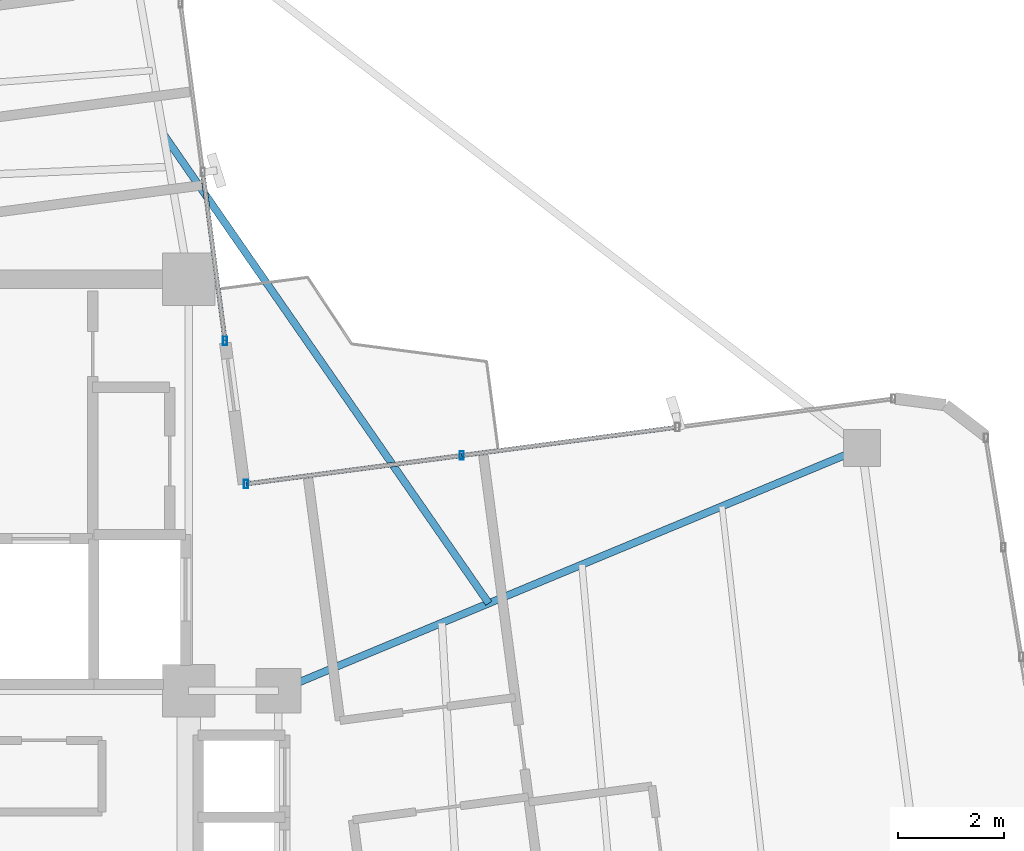
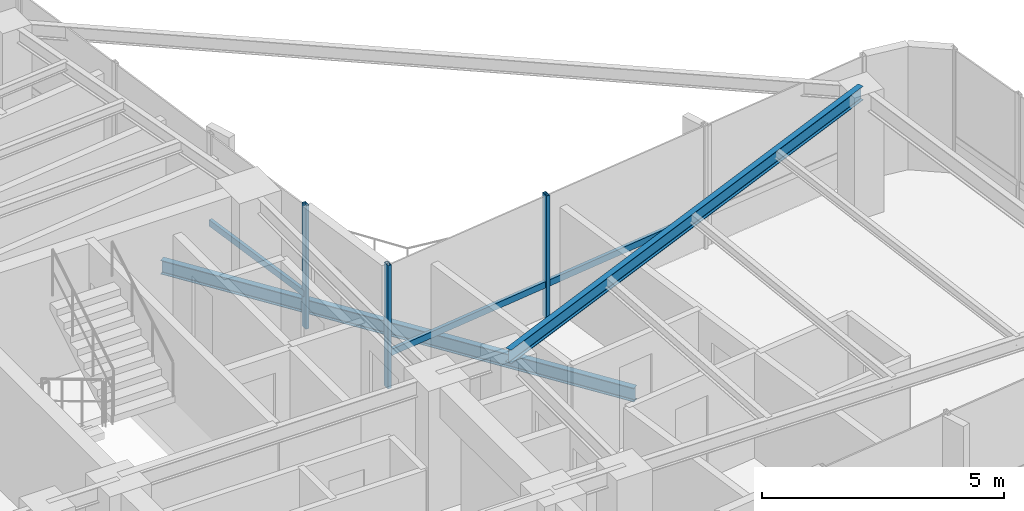
# One storey, part 11 of 22: 6 members, 2 beams, 2 elements without a shape of their own.
"""IFC4 building model written with IfcOpenShell, lengths in metres."""

from ifc_helpers import new_model, si_unit, direction, frame, origin, origin_2d, place, context, subcontext, project, spatial, hollow_rectangle, i_section, extrude, source, transform, mapped, material, material_profile, profile_set, type_object, element, aggregate, save


model = new_model("IFC4")

# Units and contexts
model_context = context("Model", 3, precision=1e-05, world=origin(), true_north=direction((0.0, 1.0)))
body_context = subcontext(model_context, "Body", "Model", "MODEL_VIEW")
ifc_project = project(units=[si_unit("LENGTHUNIT", "METRE"), si_unit("AREAUNIT", "SQUARE_METRE"), si_unit("VOLUMEUNIT", "CUBIC_METRE"), si_unit("PLANEANGLEUNIT", "RADIAN"), si_unit("MASSUNIT", "GRAM", prefix="KILO")], contexts=[model_context])

# Site, building, storey
site_placement = place(None, origin())
site = spatial("IfcSite", under=ifc_project, at=site_placement, CompositionType="ELEMENT")
building_placement = place(site_placement, origin())
building = spatial("IfcBuilding", under=site, at=building_placement, Name="Sahyath Konkavel Grand Hotel", CompositionType="ELEMENT")
storey_placement = place(building_placement, frame((0.0, 0.0, 234.449951171875)))
storey = spatial("IfcBuildingStorey", under=building, at=storey_placement, Name="L65", CompositionType="ELEMENT", Elevation=234.449951171875)

# Beam
ifc_material_1 = material(Name="Steel E350", Category="steel")
ifc_material_profile_1 = material_profile(ifc_material_1, i_section(OverallWidth=0.139892578125, OverallDepth=0.35009765625, WebThickness=0.008056640625, FlangeThickness=0.01416015625, FilletRadius=0.013916015625, at=origin_2d()), Name="ISMB 350")
ifc_profile_set_1 = profile_set([ifc_material_profile_1], Name="Steel E350")
beam_type_1 = type_object("IfcBeamType", Name="BM-ISMB350", PredefinedType="BEAM", material=ifc_profile_set_1)
shared_shape_1 = source(origin(), body_context, "Body", "SweptSolid", [
    extrude(i_section(OverallWidth=0.139892578125, OverallDepth=0.35009765625, WebThickness=0.008056640625, FlangeThickness=0.01416015625, FilletRadius=0.013916015625, at=origin_2d()), origin(), (0.0, 0.0, 1.0), 11.9794921875),
])
beam_1_placement = place(storey_placement, frame((5.5, 2.39990234375, 2.93505859375), z_axis=(0.923316118913, 0.384040811054, 0.0), x_axis=(-0.384040811054, 0.923316118913, 0.0)))
element("IfcBeam", 1, at=beam_1_placement, inside=storey, type_object=beam_type_1, Name="L65 Cruciform Radial Girder EB", PredefinedType="BEAM", context=body_context, shape_type="MappedRepresentation", body=[
    mapped(shared_shape_1, transform((0.0, 0.0, 0.0), scale=1.0)),
])

# Curtain wall, members
ifc_material_2 = material(Name="Anodised Bronze Aluminium & Low-E Glazing", Category="aluminium")
curtain_wall_type = type_object("IfcCurtainWallType", Name="CW-ZONE4", PredefinedType="NOTDEFINED", material=ifc_material_2)
curtain_wall_1_placement = place(storey_placement, origin())
curtain_wall_1 = element("IfcCurtainWall", 2, at=curtain_wall_1_placement, inside=storey, type_object=curtain_wall_type, Name="L65 Unitised Curtain Wall F7", PredefinedType="NOTDEFINED")
ifc_material_3 = material(Name="Anodised Bronze Aluminium", Category="aluminium")
ifc_material_profile_2 = material_profile(ifc_material_3, hollow_rectangle(XDim=0.080078125, YDim=0.159912109375, WallThickness=0.006103515625, at=origin_2d()), Name="RHS 160x80x6")
ifc_profile_set_2 = profile_set([ifc_material_profile_2], Name="Anodised Bronze Aluminium")
member_type_1 = type_object("IfcMemberType", Name="CW-MUL-160", PredefinedType="MULLION", material=ifc_profile_set_2)
shared_shape_2 = source(origin(), body_context, "Body", "SweptSolid", [
    extrude(hollow_rectangle(XDim=0.080078125, YDim=0.159912109375, WallThickness=0.006103515625, at=origin_2d()), origin(), (0.0, 0.0, 1.0), 3.110107421875),
])
member_1_placement = place(storey_placement, frame((8.97509765625, 6.859130859375, 0.0), z_axis=(0.0, 0.0, 1.0), x_axis=(1.0, 0.0, 0.0)))
member_1 = element("IfcMember", 3, at=member_1_placement, type_object=member_type_1, Name="L65 Curtain Wall Mullion F7-2", PredefinedType="MULLION", context=body_context, shape_type="MappedRepresentation", body=[
    mapped(shared_shape_2, transform((0.0, 0.0, 0.0), scale=1.0)),
])
member_2_placement = place(storey_placement, frame((4.8857421875, 6.32080078125, 0.0), z_axis=(0.0, 0.0, 1.0), x_axis=(1.0, 0.0, 0.0)))
member_2 = element("IfcMember", 4, at=member_2_placement, type_object=member_type_1, Name="L65 Curtain Wall Mullion F7-3", PredefinedType="MULLION", context=body_context, shape_type="MappedRepresentation", body=[
    mapped(shared_shape_2, transform((0.0, 0.0, 0.0), scale=1.0)),
])

curtain_wall_2_placement = place(storey_placement, origin())
curtain_wall_2 = element("IfcCurtainWall", 5, at=curtain_wall_2_placement, inside=storey, type_object=curtain_wall_type, Name="L65 Unitised Curtain Wall F8", PredefinedType="NOTDEFINED")
member_3_placement = place(storey_placement, frame((4.488525390625, 9.0322265625, 0.0), z_axis=(0.0, 0.0, 1.0), x_axis=(1.0, 0.0, 0.0)))
member_3 = element("IfcMember", 6, at=member_3_placement, type_object=member_type_1, Name="L65 Curtain Wall Mullion F8-0", PredefinedType="MULLION", context=body_context, shape_type="MappedRepresentation", body=[
    mapped(shared_shape_2, transform((0.0, 0.0, 0.0), scale=1.0)),
])
ifc_material_profile_3 = material_profile(ifc_material_3, hollow_rectangle(XDim=0.080078125, YDim=0.159912109375, WallThickness=0.006103515625, at=origin_2d()), Name="RHS 160x80x6")
ifc_profile_set_3 = profile_set([ifc_material_profile_3], Name="Anodised Bronze Aluminium")
member_type_2 = type_object("IfcMemberType", Name="CW-TRN-160", PredefinedType="USERDEFINED", material=ifc_profile_set_3)
shared_shape_3 = source(origin(), body_context, "Body", "SweptSolid", [
    extrude(hollow_rectangle(XDim=0.080078125, YDim=0.159912109375, WallThickness=0.006103515625, at=origin_2d()), origin(), (0.0, 0.0, 1.0), 3.224609375),
])
member_4_placement = place(storey_placement, frame((4.488525390625, 9.0322265625, 0.85009765625), z_axis=(-0.13052697693, 0.991444758064, 0.0), x_axis=(-0.991444758064, -0.13052697693, 0.0)))
member_4 = element("IfcMember", 7, at=member_4_placement, type_object=member_type_2, Name="L65 Curtain Wall Transom F8-0-spandrel", ObjectType="TRANSOM", PredefinedType="USERDEFINED", context=body_context, shape_type="MappedRepresentation", body=[
    mapped(shared_shape_3, transform((0.0, 0.0, 0.0), scale=1.0)),
])
aggregate(curtain_wall_2, [member_3, member_4])

# Member
shared_shape_4 = source(origin(), body_context, "Body", "SweptSolid", [
    extrude(hollow_rectangle(XDim=0.080078125, YDim=0.159912109375, WallThickness=0.006103515625, at=origin_2d()), origin(), (0.0, 0.0, 1.0), 4.124755859375),
])
member_5_placement = place(storey_placement, frame((13.064453125, 7.3974609375, 0.85009765625), z_axis=(-0.991446234996, -0.130515758099, 0.0), x_axis=(0.130515758099, -0.991446234996, 0.0)))
member_5 = element("IfcMember", 8, at=member_5_placement, type_object=member_type_2, Name="L65 Curtain Wall Transom F7-1-spandrel", ObjectType="TRANSOM", PredefinedType="USERDEFINED", context=body_context, shape_type="MappedRepresentation", body=[
    mapped(shared_shape_4, transform((0.0, 0.0, 0.0), scale=1.0)),
])

member_6_placement = place(storey_placement, frame((8.97509765625, 6.859130859375, 0.85009765625), z_axis=(-0.991446234996, -0.130515758099, 0.0), x_axis=(0.130515758099, -0.991446234996, 0.0)))
member_6 = element("IfcMember", 9, at=member_6_placement, type_object=member_type_2, Name="L65 Curtain Wall Transom F7-2-spandrel", ObjectType="TRANSOM", PredefinedType="USERDEFINED", context=body_context, shape_type="MappedRepresentation", body=[
    mapped(shared_shape_4, transform((0.0, 0.0, 0.0), scale=1.0)),
])

aggregate(curtain_wall_1, [member_1, member_2, member_5, member_6])

# Beam
ifc_material_profile_4 = material_profile(ifc_material_1, i_section(OverallWidth=0.139892578125, OverallDepth=0.35009765625, WebThickness=0.008056640625, FlangeThickness=0.01416015625, FilletRadius=0.013916015625, at=origin_2d()), Name="ISMB 350")
ifc_profile_set_4 = profile_set([ifc_material_profile_4], Name="Steel E350")
beam_type_2 = type_object("IfcBeamType", Name="BM-BALC-CANT", PredefinedType="BEAM", material=ifc_profile_set_4)
shared_shape_5 = source(origin(), body_context, "Body", "SweptSolid", [
    extrude(i_section(OverallWidth=0.139892578125, OverallDepth=0.35009765625, WebThickness=0.008056640625, FlangeThickness=0.01416015625, FilletRadius=0.013916015625, at=origin_2d()), origin(), (0.0, 0.0, 1.0), 10.813720703125),
])
beam_2_placement = place(storey_placement, frame((9.48681640625, 4.058349609375, -0.4150390625), z_axis=(-0.569908302215, 0.821708298039, 0.0), x_axis=(-0.821708298039, -0.569908302215, 0.0)))
element("IfcBeam", 10, at=beam_2_placement, inside=storey, type_object=beam_type_2, Name="L65 Balcony Cantilever Support Beam NE", PredefinedType="BEAM", context=body_context, shape_type="MappedRepresentation", body=[
    mapped(shared_shape_5, transform((0.0, 0.0, 0.0), scale=1.0)),
])

save(model, "model.ifc")
